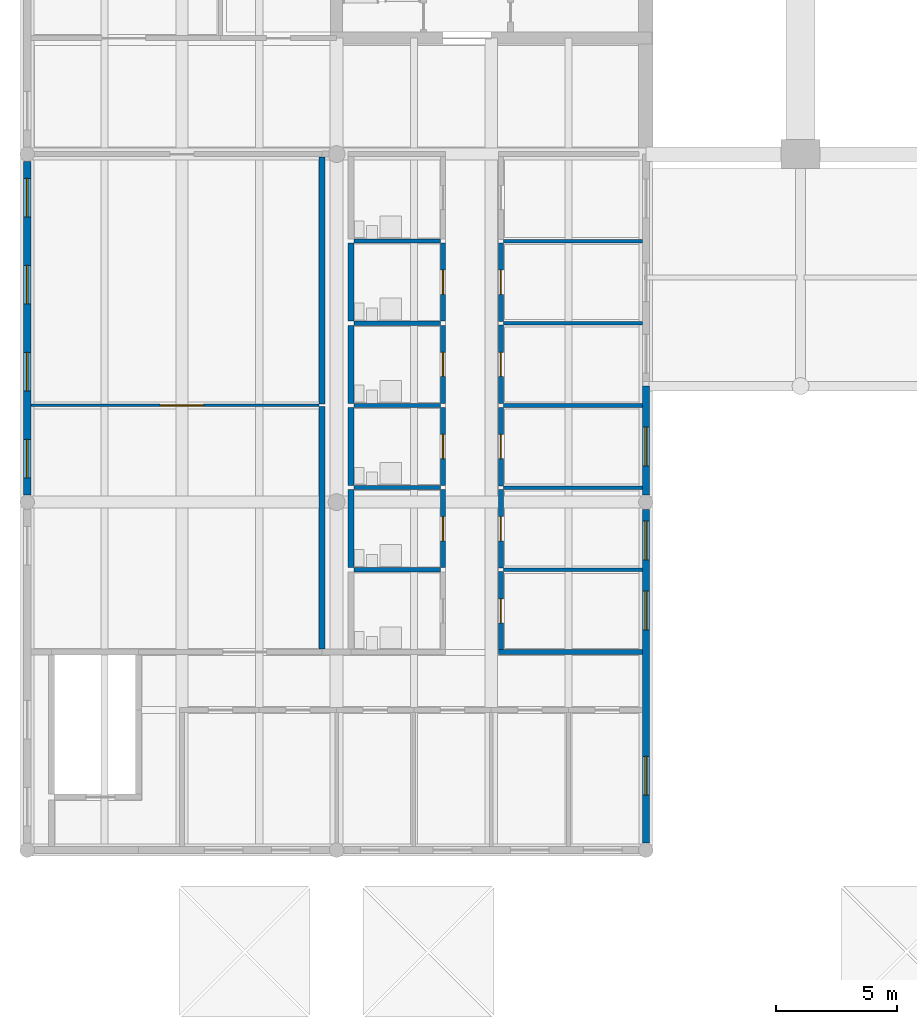
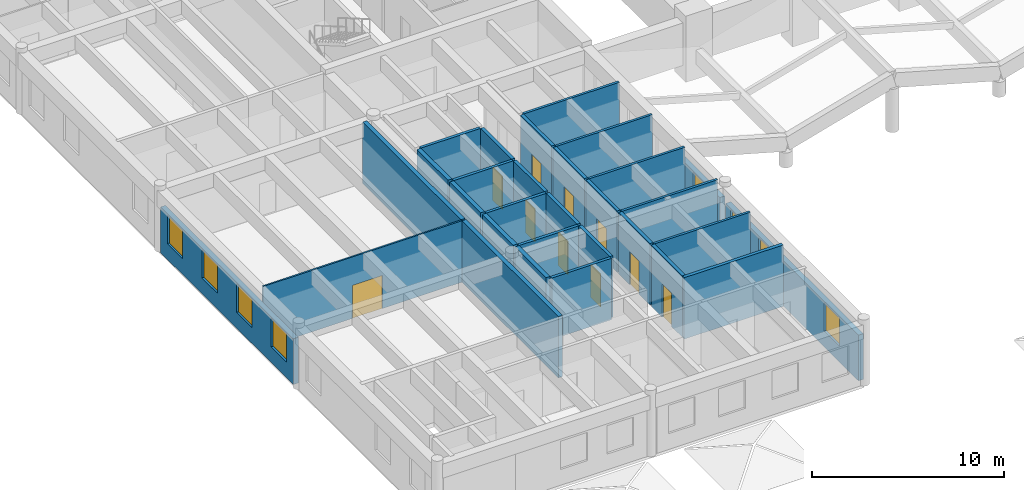
# One storey, part 6 of 19: 30 walls, 10 doors, 8 windows, 18 openings.
"""IFC4 building model written with IfcOpenShell, lengths in metres."""

import ifcopenshell
import ifcopenshell.guid

model = None  # the IFC model being written
_history = None  # IfcOwnerHistory: only IFC2X3 demands one
_inside = {}  # id of a spatial element -> (the spatial element, [elements in it])
_under = {}  # id of a project, library or spatial element -> (it, [spatial elements below it])
_declared = {}  # id of a project -> (the project, [libraries it declares])
_typed = {}  # id of a type object -> (the type object, [elements of that type])
_made_of = {}  # id of a material, layer set ... -> (it, [elements and type objects made of it])


def new_model(schema):
    """Start an empty IFC model of exactly this schema.

    Asked for "IFC4X3", IfcOpenShell would pick the latest addendum, in which some entities
    have other attributes; the version numbers below select the first issue.
    IFC2X3 requires an IfcOwnerHistory on every rooted entity: one is made here for all.
    """
    global model, _history
    if schema == "IFC4X3":
        model = ifcopenshell.file(schema_version=(4, 3, 0, 0))
    else:
        model = ifcopenshell.file(schema=schema)
    _inside.clear()
    _under.clear()
    _declared.clear()
    _typed.clear()
    _made_of.clear()
    _history = None
    if model.schema == "IFC2X3":
        org = make("IfcOrganization", Name="unknown")
        user = make(
            "IfcPersonAndOrganization",
            ThePerson=make("IfcPerson", FamilyName="unknown"),
            TheOrganization=org,
        )
        app = make(
            "IfcApplication",
            ApplicationDeveloper=org,
            Version="unknown",
            ApplicationFullName="unknown",
            ApplicationIdentifier="unknown",
        )
        _history = make(
            "IfcOwnerHistory",
            OwningUser=user,
            OwningApplication=app,
            ChangeAction="ADDED",
            CreationDate=0,
        )
    return model


def make(cls, **values):
    """One entity of the class cls with the attributes given. An attribute that is None is left unset."""
    return model.create_entity(
        cls, **{name: value for name, value in values.items() if value is not None}
    )


def rooted(cls, **values):
    """An entity with a GlobalId (a new one), such as an element, a storey or a relation."""
    return make(cls, GlobalId=ifcopenshell.guid.new(), OwnerHistory=_history, **values)


def si_unit(unit_type, name, prefix=None):
    """IfcSIUnit, for example si_unit("LENGTHUNIT", "METRE", prefix="MILLI")."""
    return make("IfcSIUnit", UnitType=unit_type, Prefix=prefix, Name=name)


def assignment(units):
    """IfcUnitAssignment: the units of a project."""
    return None if units is None else make("IfcUnitAssignment", Units=units)


def point(xyz):
    """IfcCartesianPoint."""
    return None if xyz is None else make("IfcCartesianPoint", Coordinates=xyz)


def direction(xyz):
    """IfcDirection."""
    return None if xyz is None else make("IfcDirection", DirectionRatios=xyz)


def frame(location, z_axis=None, x_axis=None):
    """IfcAxis2Placement3D, a coordinate frame: its origin and axes. An axis left out is left unset."""
    return make(
        "IfcAxis2Placement3D",
        Location=point(location),
        Axis=direction(z_axis),
        RefDirection=direction(x_axis),
    )


def frame_2d(location, x_axis=None):
    """IfcAxis2Placement2D, a coordinate frame in the plane: its origin and x axis."""
    return make(
        "IfcAxis2Placement2D", Location=point(location), RefDirection=direction(x_axis)
    )


def origin():
    """The frame at (0, 0, 0) with its axes left unset."""
    return frame((0.0, 0.0, 0.0))


def place(relative_to, where):
    """IfcLocalPlacement: puts the frame where relative to a parent placement (None: the world)."""
    return make(
        "IfcLocalPlacement", PlacementRelTo=relative_to, RelativePlacement=where
    )


def context(
    kind, dimensions, precision=None, world=None, true_north=None, identifier=None
):
    """IfcGeometricRepresentationContext, for example the 3D "Model" context."""
    return make(
        "IfcGeometricRepresentationContext",
        ContextIdentifier=identifier,
        ContextType=kind,
        CoordinateSpaceDimension=dimensions,
        Precision=precision,
        WorldCoordinateSystem=world,
        TrueNorth=true_north,
    )


def subcontext(parent, identifier, kind, view, scale=None):
    """IfcGeometricRepresentationSubContext, for example "Body" below "Model"."""
    return make(
        "IfcGeometricRepresentationSubContext",
        ContextIdentifier=identifier,
        ContextType=kind,
        ParentContext=parent,
        TargetScale=scale,
        TargetView=view,
    )


def project(units=None, contexts=None):
    """IfcProject with its units and contexts."""
    return rooted(
        "IfcProject",
        Name="project",
        RepresentationContexts=contexts,
        UnitsInContext=assignment(units),
    )


def spatial(cls, under=None, at=None, **own):
    """A site, building, storey or space (cls), placed at a placement, below another one or the project."""
    s = rooted(cls, ObjectPlacement=at, **own)
    if under is not None:
        _under.setdefault(under.id(), (under, []))[1].append(s)
    return s


def profile(cls, at=None, kind="AREA", **sizes):
    """A parametric profile (cls). Its sizes go by their IFC names, for example OverallWidth=200.0."""
    return make(cls, ProfileType=kind, Position=at, **sizes)


def rectangle(**sizes):
    """IfcRectangleProfileDef."""
    return profile("IfcRectangleProfileDef", **sizes)


def extrude(swept, where, along, depth):
    """IfcExtrudedAreaSolid: the profile swept, set in the frame where, extruded along a direction by depth."""
    return make(
        "IfcExtrudedAreaSolid",
        SweptArea=swept,
        Position=where,
        ExtrudedDirection=direction(along),
        Depth=depth,
    )


def shape(context_of_items, identifier, shape_type, items):
    """IfcShapeRepresentation: the items that make up one representation, for example the "Body"."""
    return make(
        "IfcShapeRepresentation",
        ContextOfItems=context_of_items,
        RepresentationIdentifier=identifier,
        RepresentationType=shape_type,
        Items=items,
    )


def material(Name=None, Category=None):
    """IfcMaterial."""
    return make("IfcMaterial", Name=Name, Category=Category)


def layer(
    of_material, thickness, ventilated=None, Name=None, Category=None, Priority=None
):
    """IfcMaterialLayer: one layer of a wall or slab, of a material (None: an air gap)."""
    return make(
        "IfcMaterialLayer",
        Material=of_material,
        LayerThickness=thickness,
        IsVentilated=ventilated,
        Name=Name,
        Category=Category,
        Priority=Priority,
    )


def layer_set(layers, Name=None):
    """IfcMaterialLayerSet."""
    return make("IfcMaterialLayerSet", MaterialLayers=layers, LayerSetName=Name)


def made_of(thing, what):
    """Note that an element or type object is made of a material, layer set ...; save() writes the relation."""
    if what is not None:
        _made_of.setdefault(what.id(), (what, []))[1].append(thing)
    return thing


def type_object(cls, material=None, **own):
    """A type object (cls), such as IfcWallType, which elements share."""
    return made_of(rooted(cls, **own), material)


def element(
    cls,
    number,
    at=None,
    inside=None,
    cuts=None,
    type_object=None,
    material=None,
    context=None,
    identifier="Body",
    shape_type=None,
    held_by="IfcProductDefinitionShape",
    body=None,
    shapes=None,
    **own,
):
    """One element of the class cls, such as IfcWall. Its Tag is "e" and its number.

    at: its placement. inside: the storey or other place that contains it. cuts: it is an
    opening in that element (IfcRelVoidsElement). A single representation is given by context,
    identifier, shape_type and body (its items); several are given by shapes. held_by: the class
    of the entity that holds the representations. save() writes the other relations.
    """
    e = rooted(cls, Tag="e%d" % number, ObjectPlacement=at, **own)
    if body is not None:
        shapes = [shape(context, identifier, shape_type, body)]
    if shapes is not None:
        e.Representation = make(held_by, Representations=shapes)
    if inside is not None:
        _inside.setdefault(inside.id(), (inside, []))[1].append(e)
    if cuts is not None:
        rooted(
            "IfcRelVoidsElement", RelatingBuildingElement=cuts, RelatedOpeningElement=e
        )
    if type_object is not None:
        _typed.setdefault(type_object.id(), (type_object, []))[1].append(e)
    return made_of(e, material)


def fill(opening, filler):
    """IfcRelFillsElement: the door or window that sits in an opening."""
    return rooted(
        "IfcRelFillsElement",
        RelatingOpeningElement=opening,
        RelatedBuildingElement=filler,
    )


def aggregate(whole, parts):
    """IfcRelAggregates: a whole, such as a stair, and the parts it consists of."""
    return rooted("IfcRelAggregates", RelatingObject=whole, RelatedObjects=parts)


def save(model, path):
    """Write the relations noted so far, then the file.

    IfcRelAggregates (storeys below a building ...), IfcRelContainedInSpatialStructure (elements
    in a storey), IfcRelDefinesByType, IfcRelAssociatesMaterial and IfcRelDeclares: one each for
    every whole, place, type object, material and project.
    """
    for whole, parts in _under.values():
        aggregate(whole, parts)
    for where, things in _inside.values():
        rooted(
            "IfcRelContainedInSpatialStructure",
            RelatedElements=things,
            RelatingStructure=where,
        )
    for kind, things in _typed.values():
        rooted("IfcRelDefinesByType", RelatedObjects=things, RelatingType=kind)
    for what, things in _made_of.values():
        rooted("IfcRelAssociatesMaterial", RelatedObjects=things, RelatingMaterial=what)
    for by, libraries in _declared.values():
        rooted("IfcRelDeclares", RelatingContext=by, RelatedDefinitions=libraries)
    model.write(path)


model = new_model("IFC4")

# Units and contexts
model_context = context("Model", 3, precision=1e-05, world=origin(), true_north=direction((0.0, 1.0)))
body_context = subcontext(model_context, "Body", "Model", "MODEL_VIEW")
ifc_project = project(units=[si_unit("LENGTHUNIT", "METRE"), si_unit("AREAUNIT", "SQUARE_METRE"), si_unit("VOLUMEUNIT", "CUBIC_METRE"), si_unit("PLANEANGLEUNIT", "RADIAN"), si_unit("MASSUNIT", "GRAM", prefix="KILO")], contexts=[model_context])

# Site, building, storey
site_placement = place(None, origin())
site = spatial("IfcSite", under=ifc_project, at=site_placement, CompositionType="ELEMENT")
building_placement = place(site_placement, origin())
building = spatial("IfcBuilding", under=site, at=building_placement, Name="Fogon Plaza Fire Station and Headquarters Tower", CompositionType="ELEMENT")
storey_placement = place(building_placement, frame((0.0, 0.0, 4.199951171875)))
storey = spatial("IfcBuildingStorey", under=building, at=storey_placement, Name="L01", CompositionType="ELEMENT", Elevation=4.199951171875)

# Walls
ifc_material_1 = material(Name="Acoustic Gypsum Partition")
ifc_layer_1 = layer(ifc_material_1, 0.14990234375)
ifc_layer_set_1 = layer_set([ifc_layer_1], Name="Acoustic Gypsum Partition")
wall_type_1 = type_object("IfcWallType", Name="Acoustic Partition 150", PredefinedType="PARTITIONING", material=ifc_layer_set_1)
for number, where, z_axis, x_axis, name in (
    (1, (19.699951171875, 11.60009765625, 0.0), (0.0, 0.0, 1.0), (1.0, 0.0, 0.0), "wall-L01-W-015"),
    (2, (19.699951171875, 15.0, 0.0), (0.0, 0.0, 1.0), (1.0, 0.0, 0.0), "wall-L01-W-017"),
    (3, (19.699951171875, 18.39990234375, 0.0), (0.0, 0.0, 1.0), (1.0, 0.0, 0.0), "wall-L01-W-020"),
    (4, (19.699951171875, 21.800048828125, 0.0), (0.0, 0.0, 1.0), (1.0, 0.0, 0.0), "wall-L01-W-022"),
    (5, (19.699951171875, 25.199951171875, 0.0), (0.0, 0.0, 1.0), (1.0, 0.0, 0.0), "wall-L01-W-024"),
):
    element("IfcWall", number, at=place(storey_placement, frame(where, z_axis=z_axis, x_axis=x_axis)), inside=storey, type_object=wall_type_1, Name=name, PredefinedType="PARTITIONING", context=body_context, shape_type="SweptSolid", body=[
        extrude(rectangle(XDim=5.75, YDim=0.14990234375, at=frame_2d((2.875, 0.0))), origin(), (0.0, 0.0, 1.0), 3.900146484375),
    ])

# Wall, openings, windows
ifc_material_2 = material(Name="Concrete C40", Category="concrete")
ifc_layer_2 = layer(ifc_material_2, 0.300048828125)
ifc_layer_set_2 = layer_set([ifc_layer_2], Name="Concrete C40")
wall_type_2 = type_object("IfcWallType", Name="Board-marked RC Infill Wall 300 Beam Head 100", PredefinedType="SOLIDWALL", material=ifc_layer_set_2)
wall_1_placement = place(storey_placement, frame((0.0, 14.699951171875, 0.0), z_axis=(0.0, 0.0, 1.0), x_axis=(0.0, 1.0, 0.0)))
wall_1 = element("IfcWall", 6, at=wall_1_placement, inside=storey, type_object=wall_type_2, Name="Exterior wall WW L01", PredefinedType="SOLIDWALL", context=body_context, shape_type="SweptSolid", body=[
    extrude(rectangle(XDim=13.800048828125, YDim=0.300048828125, at=frame_2d((6.89990234375, 0.0))), origin(), (0.0, 0.0, 1.0), 2.900146484375),
])
opening_1_placement = place(wall_1_placement, frame((0.699951171875, 0.0, 1.0)))
opening_1 = element("IfcOpeningElement", 7, at=opening_1_placement, cuts=wall_1, Name="Opening W1", PredefinedType="OPENING", context=body_context, shape_type="SweptSolid", body=[
    extrude(rectangle(XDim=1.60009765625, YDim=1.800048828125, at=frame_2d((0.800048828125, 0.89990234375))), frame((0.0, 0.159912109375, 0.0), z_axis=(0.0, -1.0, 0.0), x_axis=(1.0, 0.0, 0.0)), (0.0, 0.0, 1.0), 0.320068359375),
])
opening_2_placement = place(wall_1_placement, frame((4.300048828125, 0.0, 1.0)))
opening_2 = element("IfcOpeningElement", 8, at=opening_2_placement, cuts=wall_1, Name="Opening W1", PredefinedType="OPENING", context=body_context, shape_type="SweptSolid", body=[
    extrude(rectangle(XDim=1.60009765625, YDim=1.800048828125, at=frame_2d((0.800048828125, 0.89990234375))), frame((0.0, 0.159912109375, 0.0), z_axis=(0.0, -1.0, 0.0), x_axis=(1.0, 0.0, 0.0)), (0.0, 0.0, 1.0), 0.320068359375),
])
opening_3_placement = place(wall_1_placement, frame((7.89990234375, 0.0, 1.0)))
opening_3 = element("IfcOpeningElement", 9, at=opening_3_placement, cuts=wall_1, Name="Opening W1", PredefinedType="OPENING", context=body_context, shape_type="SweptSolid", body=[
    extrude(rectangle(XDim=1.60009765625, YDim=1.800048828125, at=frame_2d((0.800048828125, 0.89990234375))), frame((0.0, 0.159912109375, 0.0), z_axis=(0.0, -1.0, 0.0), x_axis=(1.0, 0.0, 0.0)), (0.0, 0.0, 1.0), 0.320068359375),
])
opening_4_placement = place(wall_1_placement, frame((11.5, 0.0, 1.0)))
opening_4 = element("IfcOpeningElement", 10, at=opening_4_placement, cuts=wall_1, Name="Opening W1", PredefinedType="OPENING", context=body_context, shape_type="SweptSolid", body=[
    extrude(rectangle(XDim=1.60009765625, YDim=1.800048828125, at=frame_2d((0.800048828125, 0.89990234375))), frame((0.0, 0.159912109375, 0.0), z_axis=(0.0, -1.0, 0.0), x_axis=(1.0, 0.0, 0.0)), (0.0, 0.0, 1.0), 0.320068359375),
])
ifc_material_3 = material(Name="Aluminium framed double glazing", Category="aluminium")
window_type = type_object("IfcWindowType", Name="Window W1 1600x1800", PartitioningType="SINGLE_PANEL", PredefinedType="WINDOW", material=ifc_material_3)
window_1_placement = place(opening_1_placement, origin())
window_1 = element("IfcWindow", 11, at=window_1_placement, inside=storey, type_object=window_type, Name="Window W1 W L01", OverallHeight=1.800048828125, OverallWidth=1.60009765625, PartitioningType="SINGLE_PANEL", PredefinedType="WINDOW", context=body_context, shape_type="SweptSolid", body=[
    extrude(rectangle(XDim=1.60009765625, YDim=1.800048828125, at=frame_2d((0.800048828125, 0.89990234375))), frame((0.0, 0.030029296875, 0.0), z_axis=(0.0, -1.0, 0.0), x_axis=(1.0, 0.0, 0.0)), (0.0, 0.0, 1.0), 0.06005859375),
])
fill(opening_1, window_1)
window_2_placement = place(opening_2_placement, origin())
window_2 = element("IfcWindow", 12, at=window_2_placement, inside=storey, type_object=window_type, Name="Window W1 W L01", OverallHeight=1.800048828125, OverallWidth=1.60009765625, PartitioningType="SINGLE_PANEL", PredefinedType="WINDOW", context=body_context, shape_type="SweptSolid", body=[
    extrude(rectangle(XDim=1.60009765625, YDim=1.800048828125, at=frame_2d((0.800048828125, 0.89990234375))), frame((0.0, 0.030029296875, 0.0), z_axis=(0.0, -1.0, 0.0), x_axis=(1.0, 0.0, 0.0)), (0.0, 0.0, 1.0), 0.06005859375),
])
fill(opening_2, window_2)
window_3_placement = place(opening_3_placement, origin())
window_3 = element("IfcWindow", 13, at=window_3_placement, inside=storey, type_object=window_type, Name="Window W1 W L01", OverallHeight=1.800048828125, OverallWidth=1.60009765625, PartitioningType="SINGLE_PANEL", PredefinedType="WINDOW", context=body_context, shape_type="SweptSolid", body=[
    extrude(rectangle(XDim=1.60009765625, YDim=1.800048828125, at=frame_2d((0.800048828125, 0.89990234375))), frame((0.0, 0.030029296875, 0.0), z_axis=(0.0, -1.0, 0.0), x_axis=(1.0, 0.0, 0.0)), (0.0, 0.0, 1.0), 0.06005859375),
])
fill(opening_3, window_3)
window_4_placement = place(opening_4_placement, origin())
window_4 = element("IfcWindow", 14, at=window_4_placement, inside=storey, type_object=window_type, Name="Window W1 W L01", OverallHeight=1.800048828125, OverallWidth=1.60009765625, PartitioningType="SINGLE_PANEL", PredefinedType="WINDOW", context=body_context, shape_type="SweptSolid", body=[
    extrude(rectangle(XDim=1.60009765625, YDim=1.800048828125, at=frame_2d((0.800048828125, 0.89990234375))), frame((0.0, 0.030029296875, 0.0), z_axis=(0.0, -1.0, 0.0), x_axis=(1.0, 0.0, 0.0)), (0.0, 0.0, 1.0), 0.06005859375),
])
fill(opening_4, window_4)

wall_2_placement = place(storey_placement, frame((25.60009765625, 0.300048828125, 0.0), z_axis=(0.0, 0.0, 1.0), x_axis=(0.0, 1.0, 0.0)))
wall_2 = element("IfcWall", 15, at=wall_2_placement, inside=storey, type_object=wall_type_2, Name="Exterior wall WE L01", PredefinedType="SOLIDWALL", context=body_context, shape_type="SweptSolid", body=[
    extrude(rectangle(XDim=13.800048828125, YDim=0.300048828125, at=frame_2d((6.89990234375, 0.0))), origin(), (0.0, 0.0, 1.0), 2.900146484375),
])
opening_5_placement = place(wall_2_placement, frame((1.97509765625, 0.0, 1.0)))
opening_5 = element("IfcOpeningElement", 16, at=opening_5_placement, cuts=wall_2, Name="Opening W1", PredefinedType="OPENING", context=body_context, shape_type="SweptSolid", body=[
    extrude(rectangle(XDim=1.60009765625, YDim=1.800048828125, at=frame_2d((0.800048828125, 0.89990234375))), frame((0.0, 0.159912109375, 0.0), z_axis=(0.0, -1.0, 0.0), x_axis=(1.0, 0.0, 0.0)), (0.0, 0.0, 1.0), 0.320068359375),
])
opening_6_placement = place(wall_2_placement, frame((8.8125, 0.0, 1.0)))
opening_6 = element("IfcOpeningElement", 17, at=opening_6_placement, cuts=wall_2, Name="Opening W1", PredefinedType="OPENING", context=body_context, shape_type="SweptSolid", body=[
    extrude(rectangle(XDim=1.60009765625, YDim=1.800048828125, at=frame_2d((0.800048828125, 0.89990234375))), frame((0.0, 0.159912109375, 0.0), z_axis=(0.0, -1.0, 0.0), x_axis=(1.0, 0.0, 0.0)), (0.0, 0.0, 1.0), 0.320068359375),
])
opening_7_placement = place(wall_2_placement, frame((11.71240234375, 0.0, 1.0)))
opening_7 = element("IfcOpeningElement", 18, at=opening_7_placement, cuts=wall_2, Name="Opening W1", PredefinedType="OPENING", context=body_context, shape_type="SweptSolid", body=[
    extrude(rectangle(XDim=1.60009765625, YDim=1.800048828125, at=frame_2d((0.800048828125, 0.89990234375))), frame((0.0, 0.159912109375, 0.0), z_axis=(0.0, -1.0, 0.0), x_axis=(1.0, 0.0, 0.0)), (0.0, 0.0, 1.0), 0.320068359375),
])
window_5_placement = place(opening_5_placement, origin())
window_5 = element("IfcWindow", 19, at=window_5_placement, inside=storey, type_object=window_type, Name="Window W1 E L01", OverallHeight=1.800048828125, OverallWidth=1.60009765625, PartitioningType="SINGLE_PANEL", PredefinedType="WINDOW", context=body_context, shape_type="SweptSolid", body=[
    extrude(rectangle(XDim=1.60009765625, YDim=1.800048828125, at=frame_2d((0.800048828125, 0.89990234375))), frame((0.0, 0.030029296875, 0.0), z_axis=(0.0, -1.0, 0.0), x_axis=(1.0, 0.0, 0.0)), (0.0, 0.0, 1.0), 0.06005859375),
])
fill(opening_5, window_5)
window_6_placement = place(opening_6_placement, origin())
window_6 = element("IfcWindow", 20, at=window_6_placement, inside=storey, type_object=window_type, Name="Window W1 E L01", OverallHeight=1.800048828125, OverallWidth=1.60009765625, PartitioningType="SINGLE_PANEL", PredefinedType="WINDOW", context=body_context, shape_type="SweptSolid", body=[
    extrude(rectangle(XDim=1.60009765625, YDim=1.800048828125, at=frame_2d((0.800048828125, 0.89990234375))), frame((0.0, 0.030029296875, 0.0), z_axis=(0.0, -1.0, 0.0), x_axis=(1.0, 0.0, 0.0)), (0.0, 0.0, 1.0), 0.06005859375),
])
fill(opening_6, window_6)
window_7_placement = place(opening_7_placement, origin())
window_7 = element("IfcWindow", 21, at=window_7_placement, inside=storey, type_object=window_type, Name="Window W1 E L01", OverallHeight=1.800048828125, OverallWidth=1.60009765625, PartitioningType="SINGLE_PANEL", PredefinedType="WINDOW", context=body_context, shape_type="SweptSolid", body=[
    extrude(rectangle(XDim=1.60009765625, YDim=1.800048828125, at=frame_2d((0.800048828125, 0.89990234375))), frame((0.0, 0.030029296875, 0.0), z_axis=(0.0, -1.0, 0.0), x_axis=(1.0, 0.0, 0.0)), (0.0, 0.0, 1.0), 0.06005859375),
])
fill(opening_7, window_7)

# Wall, opening, window
wall_3_placement = place(storey_placement, frame((25.60009765625, 14.699951171875, 0.0), z_axis=(0.0, 0.0, 1.0), x_axis=(0.0, 1.0, 0.0)))
wall_3 = element("IfcWall", 22, at=wall_3_placement, inside=storey, type_object=wall_type_2, Name="Exterior wall WE L01", PredefinedType="SOLIDWALL", context=body_context, shape_type="SweptSolid", body=[
    extrude(rectangle(XDim=4.5, YDim=0.300048828125, at=frame_2d((2.25, 0.0))), origin(), (0.0, 0.0, 1.0), 2.900146484375),
])
opening_8_placement = place(wall_3_placement, frame((1.199951171875, 0.0, 1.0)))
opening_8 = element("IfcOpeningElement", 23, at=opening_8_placement, cuts=wall_3, Name="Opening W1", PredefinedType="OPENING", context=body_context, shape_type="SweptSolid", body=[
    extrude(rectangle(XDim=1.60009765625, YDim=1.800048828125, at=frame_2d((0.800048828125, 0.89990234375))), frame((0.0, 0.159912109375, 0.0), z_axis=(0.0, -1.0, 0.0), x_axis=(1.0, 0.0, 0.0)), (0.0, 0.0, 1.0), 0.320068359375),
])
window_8_placement = place(opening_8_placement, origin())
window_8 = element("IfcWindow", 24, at=window_8_placement, inside=storey, type_object=window_type, Name="Window W1 E L01", OverallHeight=1.800048828125, OverallWidth=1.60009765625, PartitioningType="SINGLE_PANEL", PredefinedType="WINDOW", context=body_context, shape_type="SweptSolid", body=[
    extrude(rectangle(XDim=1.60009765625, YDim=1.800048828125, at=frame_2d((0.800048828125, 0.89990234375))), frame((0.0, 0.030029296875, 0.0), z_axis=(0.0, -1.0, 0.0), x_axis=(1.0, 0.0, 0.0)), (0.0, 0.0, 1.0), 0.06005859375),
])
fill(opening_8, window_8)

# Wall
ifc_material_4 = material(Name="Gypsum Board Fire Partition")
ifc_layer_3 = layer(ifc_material_4, 0.199951171875)
ifc_layer_set_3 = layer_set([ifc_layer_3], Name="Gypsum Board Fire Partition")
wall_type_3 = type_object("IfcWallType", Name="Corridor Wall EI 60", PredefinedType="PARTITIONING", material=ifc_layer_set_3)
wall_4_placement = place(storey_placement, frame((19.5, 8.199951171875, 0.0), z_axis=(0.0, 0.0, 1.0), x_axis=(1.0, 0.0, 0.0)))
element("IfcWall", 25, at=wall_4_placement, inside=storey, type_object=wall_type_3, Name="wall-L01-W-013", PredefinedType="PARTITIONING", context=body_context, shape_type="SweptSolid", body=[
    extrude(rectangle(XDim=5.949951171875, YDim=0.199951171875, at=frame_2d((2.97509765625, 0.0))), origin(), (0.0, 0.0, 1.0), 3.900146484375),
])

# Wall, opening, door
wall_5_placement = place(storey_placement, frame((17.199951171875, 11.6875, 0.0), z_axis=(0.0, 0.0, 1.0), x_axis=(0.0, 1.0, 0.0)))
wall_5 = element("IfcWall", 26, at=wall_5_placement, inside=storey, type_object=wall_type_3, Name="wall-L01-W-060", PredefinedType="PARTITIONING", context=body_context, shape_type="SweptSolid", body=[
    extrude(rectangle(XDim=3.22509765625, YDim=0.199951171875, at=frame_2d((1.612548828125, 0.0))), origin(), (0.0, 0.0, 1.0), 3.900146484375),
])
opening_9_placement = place(wall_5_placement, frame((1.112548828125, 0.0, 0.0)))
opening_9 = element("IfcOpeningElement", 27, at=opening_9_placement, cuts=wall_5, Name="Opening L01-D40", PredefinedType="OPENING", context=body_context, shape_type="SweptSolid", body=[
    extrude(rectangle(XDim=1.0, YDim=2.10009765625, at=frame_2d((0.5, 1.050048828125))), frame((0.0, 0.10986328125, 0.0), z_axis=(0.0, -1.0, 0.0), x_axis=(1.0, 0.0, 0.0)), (0.0, 0.0, 1.0), 0.219970703125),
])
ifc_material_5 = material(Name="Steel Fire Door Leaf", Category="steel")
door_type_1 = type_object("IfcDoorType", Name="Corridor Door EI 20 1000x2100", OperationType="SINGLE_SWING_LEFT", PredefinedType="DOOR", material=ifc_material_5)
door_1_placement = place(opening_9_placement, origin())
door_1 = element("IfcDoor", 28, at=door_1_placement, inside=storey, type_object=door_type_1, Name="door-L01-W-10", OperationType="SINGLE_SWING_LEFT", OverallHeight=2.10009765625, OverallWidth=1.0, PredefinedType="DOOR", context=body_context, shape_type="SweptSolid", body=[
    extrude(rectangle(XDim=1.0, YDim=2.10009765625, at=frame_2d((0.5, 1.050048828125))), frame((0.0, 0.02490234375, 0.0), z_axis=(0.0, -1.0, 0.0), x_axis=(1.0, 0.0, 0.0)), (0.0, 0.0, 1.0), 0.050048828125),
])
fill(opening_9, door_1)

wall_6_placement = place(storey_placement, frame((17.199951171875, 15.08740234375, 0.0), z_axis=(0.0, 0.0, 1.0), x_axis=(0.0, 1.0, 0.0)))
wall_6 = element("IfcWall", 29, at=wall_6_placement, inside=storey, type_object=wall_type_3, Name="wall-L01-W-061", PredefinedType="PARTITIONING", context=body_context, shape_type="SweptSolid", body=[
    extrude(rectangle(XDim=3.22509765625, YDim=0.199951171875, at=frame_2d((1.612548828125, 0.0))), origin(), (0.0, 0.0, 1.0), 3.900146484375),
])
opening_10_placement = place(wall_6_placement, frame((1.112548828125, 0.0, 0.0)))
opening_10 = element("IfcOpeningElement", 30, at=opening_10_placement, cuts=wall_6, Name="Opening L01-D41", PredefinedType="OPENING", context=body_context, shape_type="SweptSolid", body=[
    extrude(rectangle(XDim=1.0, YDim=2.10009765625, at=frame_2d((0.5, 1.050048828125))), frame((0.0, 0.10986328125, 0.0), z_axis=(0.0, -1.0, 0.0), x_axis=(1.0, 0.0, 0.0)), (0.0, 0.0, 1.0), 0.219970703125),
])
door_2_placement = place(opening_10_placement, origin())
door_2 = element("IfcDoor", 31, at=door_2_placement, inside=storey, type_object=door_type_1, Name="door-L01-W-11", OperationType="SINGLE_SWING_RIGHT", OverallHeight=2.10009765625, OverallWidth=1.0, PredefinedType="DOOR", context=body_context, shape_type="SweptSolid", body=[
    extrude(rectangle(XDim=1.0, YDim=2.10009765625, at=frame_2d((0.5, 1.050048828125))), frame((0.0, 0.02490234375, 0.0), z_axis=(0.0, -1.0, 0.0), x_axis=(1.0, 0.0, 0.0)), (0.0, 0.0, 1.0), 0.050048828125),
])
fill(opening_10, door_2)

wall_7_placement = place(storey_placement, frame((17.199951171875, 18.487548828125, 0.0), z_axis=(0.0, 0.0, 1.0), x_axis=(0.0, 1.0, 0.0)))
wall_7 = element("IfcWall", 32, at=wall_7_placement, inside=storey, type_object=wall_type_3, Name="wall-L01-W-062", PredefinedType="PARTITIONING", context=body_context, shape_type="SweptSolid", body=[
    extrude(rectangle(XDim=3.224853515625, YDim=0.199951171875, at=frame_2d((1.6123046875, 0.0))), origin(), (0.0, 0.0, 1.0), 3.900146484375),
])
opening_11_placement = place(wall_7_placement, frame((1.112548828125, 0.0, 0.0)))
opening_11 = element("IfcOpeningElement", 33, at=opening_11_placement, cuts=wall_7, Name="Opening L01-D42", PredefinedType="OPENING", context=body_context, shape_type="SweptSolid", body=[
    extrude(rectangle(XDim=1.0, YDim=2.10009765625, at=frame_2d((0.5, 1.050048828125))), frame((0.0, 0.10986328125, 0.0), z_axis=(0.0, -1.0, 0.0), x_axis=(1.0, 0.0, 0.0)), (0.0, 0.0, 1.0), 0.219970703125),
])
door_3_placement = place(opening_11_placement, origin())
door_3 = element("IfcDoor", 34, at=door_3_placement, inside=storey, type_object=door_type_1, Name="door-L01-W-12", OperationType="SINGLE_SWING_LEFT", OverallHeight=2.10009765625, OverallWidth=1.0, PredefinedType="DOOR", context=body_context, shape_type="SweptSolid", body=[
    extrude(rectangle(XDim=1.0, YDim=2.10009765625, at=frame_2d((0.5, 1.050048828125))), frame((0.0, 0.02490234375, 0.0), z_axis=(0.0, -1.0, 0.0), x_axis=(1.0, 0.0, 0.0)), (0.0, 0.0, 1.0), 0.050048828125),
])
fill(opening_11, door_3)

wall_8_placement = place(storey_placement, frame((17.199951171875, 21.887451171875, 0.0), z_axis=(0.0, 0.0, 1.0), x_axis=(0.0, 1.0, 0.0)))
wall_8 = element("IfcWall", 35, at=wall_8_placement, inside=storey, type_object=wall_type_3, Name="wall-L01-W-063", PredefinedType="PARTITIONING", context=body_context, shape_type="SweptSolid", body=[
    extrude(rectangle(XDim=3.22509765625, YDim=0.199951171875, at=frame_2d((1.612548828125, 0.0))), origin(), (0.0, 0.0, 1.0), 3.900146484375),
])
opening_12_placement = place(wall_8_placement, frame((1.112548828125, 0.0, 0.0)))
opening_12 = element("IfcOpeningElement", 36, at=opening_12_placement, cuts=wall_8, Name="Opening L01-D43", PredefinedType="OPENING", context=body_context, shape_type="SweptSolid", body=[
    extrude(rectangle(XDim=1.0, YDim=2.10009765625, at=frame_2d((0.5, 1.050048828125))), frame((0.0, 0.10986328125, 0.0), z_axis=(0.0, -1.0, 0.0), x_axis=(1.0, 0.0, 0.0)), (0.0, 0.0, 1.0), 0.219970703125),
])
door_4_placement = place(opening_12_placement, origin())
door_4 = element("IfcDoor", 37, at=door_4_placement, inside=storey, type_object=door_type_1, Name="door-L01-W-13", OperationType="SINGLE_SWING_RIGHT", OverallHeight=2.10009765625, OverallWidth=1.0, PredefinedType="DOOR", context=body_context, shape_type="SweptSolid", body=[
    extrude(rectangle(XDim=1.0, YDim=2.10009765625, at=frame_2d((0.5, 1.050048828125))), frame((0.0, 0.02490234375, 0.0), z_axis=(0.0, -1.0, 0.0), x_axis=(1.0, 0.0, 0.0)), (0.0, 0.0, 1.0), 0.050048828125),
])
fill(opening_12, door_4)

wall_9_placement = place(storey_placement, frame((19.60009765625, 8.300048828125, 0.0), z_axis=(0.0, 0.0, 1.0), x_axis=(0.0, 1.0, 0.0)))
wall_9 = element("IfcWall", 38, at=wall_9_placement, inside=storey, type_object=wall_type_3, Name="wall-L01-W-066", PredefinedType="PARTITIONING", context=body_context, shape_type="SweptSolid", body=[
    extrude(rectangle(XDim=3.224853515625, YDim=0.199951171875, at=frame_2d((1.6123046875, 0.0))), origin(), (0.0, 0.0, 1.0), 3.900146484375),
])
opening_13_placement = place(wall_9_placement, frame((1.10009765625, 0.0, 0.0)))
opening_13 = element("IfcOpeningElement", 39, at=opening_13_placement, cuts=wall_9, Name="Opening L01-D45", PredefinedType="OPENING", context=body_context, shape_type="SweptSolid", body=[
    extrude(rectangle(XDim=1.0, YDim=2.10009765625, at=frame_2d((0.5, 1.050048828125))), frame((0.0, 0.10986328125, 0.0), z_axis=(0.0, -1.0, 0.0), x_axis=(1.0, 0.0, 0.0)), (0.0, 0.0, 1.0), 0.219970703125),
])
door_5_placement = place(opening_13_placement, frame((1.0, 0.0, 0.0), z_axis=(0.0, 0.0, 1.0), x_axis=(-1.0, 0.0, 0.0)))
door_5 = element("IfcDoor", 40, at=door_5_placement, inside=storey, type_object=door_type_1, Name="door-L01-W-15", OperationType="SINGLE_SWING_LEFT", OverallHeight=2.10009765625, OverallWidth=1.0, PredefinedType="DOOR", context=body_context, shape_type="SweptSolid", body=[
    extrude(rectangle(XDim=1.0, YDim=2.10009765625, at=frame_2d((0.5, 1.050048828125))), frame((0.0, 0.02490234375, 0.0), z_axis=(0.0, -1.0, 0.0), x_axis=(1.0, 0.0, 0.0)), (0.0, 0.0, 1.0), 0.050048828125),
])
fill(opening_13, door_5)

wall_10_placement = place(storey_placement, frame((19.60009765625, 11.675048828125, 0.0), z_axis=(0.0, 0.0, 1.0), x_axis=(0.0, 1.0, 0.0)))
wall_10 = element("IfcWall", 41, at=wall_10_placement, inside=storey, type_object=wall_type_3, Name="wall-L01-W-067", PredefinedType="PARTITIONING", context=body_context, shape_type="SweptSolid", body=[
    extrude(rectangle(XDim=3.25, YDim=0.199951171875, at=frame_2d((1.625, 0.0))), origin(), (0.0, 0.0, 1.0), 3.900146484375),
])
opening_14_placement = place(wall_10_placement, frame((1.125, 0.0, 0.0)))
opening_14 = element("IfcOpeningElement", 42, at=opening_14_placement, cuts=wall_10, Name="Opening L01-D46", PredefinedType="OPENING", context=body_context, shape_type="SweptSolid", body=[
    extrude(rectangle(XDim=1.0, YDim=2.10009765625, at=frame_2d((0.5, 1.050048828125))), frame((0.0, 0.10986328125, 0.0), z_axis=(0.0, -1.0, 0.0), x_axis=(1.0, 0.0, 0.0)), (0.0, 0.0, 1.0), 0.219970703125),
])
door_6_placement = place(opening_14_placement, frame((1.0, 0.0, 0.0), z_axis=(0.0, 0.0, 1.0), x_axis=(-1.0, 0.0, 0.0)))
door_6 = element("IfcDoor", 43, at=door_6_placement, inside=storey, type_object=door_type_1, Name="door-L01-W-16", OperationType="SINGLE_SWING_RIGHT", OverallHeight=2.10009765625, OverallWidth=1.0, PredefinedType="DOOR", context=body_context, shape_type="SweptSolid", body=[
    extrude(rectangle(XDim=1.0, YDim=2.10009765625, at=frame_2d((0.5, 1.050048828125))), frame((0.0, 0.02490234375, 0.0), z_axis=(0.0, -1.0, 0.0), x_axis=(1.0, 0.0, 0.0)), (0.0, 0.0, 1.0), 0.050048828125),
])
fill(opening_14, door_6)

wall_11_placement = place(storey_placement, frame((19.60009765625, 15.074951171875, 0.0), z_axis=(0.0, 0.0, 1.0), x_axis=(0.0, 1.0, 0.0)))
wall_11 = element("IfcWall", 44, at=wall_11_placement, inside=storey, type_object=wall_type_3, Name="wall-L01-W-068", PredefinedType="PARTITIONING", context=body_context, shape_type="SweptSolid", body=[
    extrude(rectangle(XDim=3.25, YDim=0.199951171875, at=frame_2d((1.625, 0.0))), origin(), (0.0, 0.0, 1.0), 3.900146484375),
])
opening_15_placement = place(wall_11_placement, frame((1.125, 0.0, 0.0)))
opening_15 = element("IfcOpeningElement", 45, at=opening_15_placement, cuts=wall_11, Name="Opening L01-D47", PredefinedType="OPENING", context=body_context, shape_type="SweptSolid", body=[
    extrude(rectangle(XDim=1.0, YDim=2.10009765625, at=frame_2d((0.5, 1.050048828125))), frame((0.0, 0.10986328125, 0.0), z_axis=(0.0, -1.0, 0.0), x_axis=(1.0, 0.0, 0.0)), (0.0, 0.0, 1.0), 0.219970703125),
])
door_7_placement = place(opening_15_placement, frame((1.0, 0.0, 0.0), z_axis=(0.0, 0.0, 1.0), x_axis=(-1.0, 0.0, 0.0)))
door_7 = element("IfcDoor", 46, at=door_7_placement, inside=storey, type_object=door_type_1, Name="door-L01-W-17", OperationType="SINGLE_SWING_LEFT", OverallHeight=2.10009765625, OverallWidth=1.0, PredefinedType="DOOR", context=body_context, shape_type="SweptSolid", body=[
    extrude(rectangle(XDim=1.0, YDim=2.10009765625, at=frame_2d((0.5, 1.050048828125))), frame((0.0, 0.02490234375, 0.0), z_axis=(0.0, -1.0, 0.0), x_axis=(1.0, 0.0, 0.0)), (0.0, 0.0, 1.0), 0.050048828125),
])
fill(opening_15, door_7)

wall_12_placement = place(storey_placement, frame((19.60009765625, 18.47509765625, 0.0), z_axis=(0.0, 0.0, 1.0), x_axis=(0.0, 1.0, 0.0)))
wall_12 = element("IfcWall", 47, at=wall_12_placement, inside=storey, type_object=wall_type_3, Name="wall-L01-W-069", PredefinedType="PARTITIONING", context=body_context, shape_type="SweptSolid", body=[
    extrude(rectangle(XDim=3.25, YDim=0.199951171875, at=frame_2d((1.625, 0.0))), origin(), (0.0, 0.0, 1.0), 3.900146484375),
])
opening_16_placement = place(wall_12_placement, frame((1.125, 0.0, 0.0)))
opening_16 = element("IfcOpeningElement", 48, at=opening_16_placement, cuts=wall_12, Name="Opening L01-D48", PredefinedType="OPENING", context=body_context, shape_type="SweptSolid", body=[
    extrude(rectangle(XDim=1.0, YDim=2.10009765625, at=frame_2d((0.5, 1.050048828125))), frame((0.0, 0.10986328125, 0.0), z_axis=(0.0, -1.0, 0.0), x_axis=(1.0, 0.0, 0.0)), (0.0, 0.0, 1.0), 0.219970703125),
])
door_8_placement = place(opening_16_placement, frame((1.0, 0.0, 0.0), z_axis=(0.0, 0.0, 1.0), x_axis=(-1.0, 0.0, 0.0)))
door_8 = element("IfcDoor", 49, at=door_8_placement, inside=storey, type_object=door_type_1, Name="door-L01-W-18", OperationType="SINGLE_SWING_RIGHT", OverallHeight=2.10009765625, OverallWidth=1.0, PredefinedType="DOOR", context=body_context, shape_type="SweptSolid", body=[
    extrude(rectangle(XDim=1.0, YDim=2.10009765625, at=frame_2d((0.5, 1.050048828125))), frame((0.0, 0.02490234375, 0.0), z_axis=(0.0, -1.0, 0.0), x_axis=(1.0, 0.0, 0.0)), (0.0, 0.0, 1.0), 0.050048828125),
])
fill(opening_16, door_8)

wall_13_placement = place(storey_placement, frame((19.60009765625, 21.875, 0.0), z_axis=(0.0, 0.0, 1.0), x_axis=(0.0, 1.0, 0.0)))
wall_13 = element("IfcWall", 50, at=wall_13_placement, inside=storey, type_object=wall_type_3, Name="wall-L01-W-070", PredefinedType="PARTITIONING", context=body_context, shape_type="SweptSolid", body=[
    extrude(rectangle(XDim=3.25, YDim=0.199951171875, at=frame_2d((1.625, 0.0))), origin(), (0.0, 0.0, 1.0), 3.900146484375),
])
opening_17_placement = place(wall_13_placement, frame((1.125, 0.0, 0.0)))
opening_17 = element("IfcOpeningElement", 51, at=opening_17_placement, cuts=wall_13, Name="Opening L01-D49", PredefinedType="OPENING", context=body_context, shape_type="SweptSolid", body=[
    extrude(rectangle(XDim=1.0, YDim=2.10009765625, at=frame_2d((0.5, 1.050048828125))), frame((0.0, 0.10986328125, 0.0), z_axis=(0.0, -1.0, 0.0), x_axis=(1.0, 0.0, 0.0)), (0.0, 0.0, 1.0), 0.219970703125),
])
door_9_placement = place(opening_17_placement, frame((1.0, 0.0, 0.0), z_axis=(0.0, 0.0, 1.0), x_axis=(-1.0, 0.0, 0.0)))
door_9 = element("IfcDoor", 52, at=door_9_placement, inside=storey, type_object=door_type_1, Name="door-L01-W-19", OperationType="SINGLE_SWING_LEFT", OverallHeight=2.10009765625, OverallWidth=1.0, PredefinedType="DOOR", context=body_context, shape_type="SweptSolid", body=[
    extrude(rectangle(XDim=1.0, YDim=2.10009765625, at=frame_2d((0.5, 1.050048828125))), frame((0.0, 0.02490234375, 0.0), z_axis=(0.0, -1.0, 0.0), x_axis=(1.0, 0.0, 0.0)), (0.0, 0.0, 1.0), 0.050048828125),
])
fill(opening_17, door_9)

ifc_material_6 = material(Name="Gypsum Board Partition")
ifc_layer_4 = layer(ifc_material_6, 0.10009765625)
ifc_layer_set_4 = layer_set([ifc_layer_4], Name="Gypsum Board Partition")
wall_type_4 = type_object("IfcWallType", Name="Partition Gypsum 100", PredefinedType="PARTITIONING", material=ifc_layer_set_4)
wall_14_placement = place(storey_placement, frame((0.14990234375, 18.39990234375, 0.0), z_axis=(0.0, 0.0, 1.0), x_axis=(1.0, 0.0, 0.0)))
wall_14 = element("IfcWall", 53, at=wall_14_placement, inside=storey, type_object=wall_type_4, Name="wall-L01-W-018", PredefinedType="PARTITIONING", context=body_context, shape_type="SweptSolid", body=[
    extrude(rectangle(XDim=11.925048828125, YDim=0.10009765625, at=frame_2d((5.96240234375, 0.0))), origin(), (0.0, 0.0, 1.0), 3.900146484375),
])
opening_18_placement = place(wall_14_placement, frame((5.35009765625, 0.0, 0.0)))
opening_18 = element("IfcOpeningElement", 54, at=opening_18_placement, cuts=wall_14, Name="Opening L01-D52", PredefinedType="OPENING", context=body_context, shape_type="SweptSolid", body=[
    extrude(rectangle(XDim=1.800048828125, YDim=2.10009765625, at=frame_2d((0.89990234375, 1.050048828125))), frame((0.0, 0.06005859375, 0.0), z_axis=(0.0, -1.0, 0.0), x_axis=(1.0, 0.0, 0.0)), (0.0, 0.0, 1.0), 0.1201171875),
])
ifc_material_7 = material(Name="Timber Door Leaf", Category="wood")
door_type_2 = type_object("IfcDoorType", Name="Door Double 1800x2100", OperationType="SINGLE_SWING_LEFT", PredefinedType="DOOR", material=ifc_material_7)
door_10_placement = place(opening_18_placement, frame((1.800048828125, 0.0, 0.0), z_axis=(0.0, 0.0, 1.0), x_axis=(-1.0, 0.0, 0.0)))
door_10 = element("IfcDoor", 55, at=door_10_placement, inside=storey, type_object=door_type_2, Name="door-L01-W-22", OperationType="DOUBLE_DOOR_SINGLE_SWING", OverallHeight=2.10009765625, OverallWidth=1.800048828125, PredefinedType="DOOR", context=body_context, shape_type="SweptSolid", body=[
    extrude(rectangle(XDim=1.800048828125, YDim=2.10009765625, at=frame_2d((0.89990234375, 1.050048828125))), frame((0.0, 0.02490234375, 0.0), z_axis=(0.0, -1.0, 0.0), x_axis=(1.0, 0.0, 0.0)), (0.0, 0.0, 1.0), 0.050048828125),
])
fill(opening_18, door_10)

# Walls
ifc_material_8 = material(Name="Concrete Block Fire Wall", Category="concrete")
ifc_layer_5 = layer(ifc_material_8, 0.25)
ifc_layer_set_5 = layer_set([ifc_layer_5], Name="Concrete Block Fire Wall")
wall_type_5 = type_object("IfcWallType", Name="Stair and Shaft Wall EI 120", PredefinedType="PARTITIONING", material=ifc_layer_set_5)
wall_15_placement = place(storey_placement, frame((12.199951171875, 8.324951171875, 0.0), z_axis=(0.0, 0.0, 1.0), x_axis=(0.0, 1.0, 0.0)))
element("IfcWall", 56, at=wall_15_placement, inside=storey, type_object=wall_type_5, Name="wall-L01-W-049", PredefinedType="PARTITIONING", context=body_context, shape_type="SweptSolid", body=[
    extrude(rectangle(XDim=10.025146484375, YDim=0.25, at=frame_2d((5.0126953125, 0.0))), origin(), (0.0, 0.0, 1.0), 3.900146484375),
])
wall_16_placement = place(storey_placement, frame((12.199951171875, 18.449951171875, 0.0), z_axis=(0.0, 0.0, 1.0), x_axis=(0.0, 1.0, 0.0)))
element("IfcWall", 57, at=wall_16_placement, inside=storey, type_object=wall_type_5, Name="wall-L01-W-050", PredefinedType="PARTITIONING", context=body_context, shape_type="SweptSolid", body=[
    extrude(rectangle(XDim=10.22509765625, YDim=0.25, at=frame_2d((5.112548828125, 0.0))), origin(), (0.0, 0.0, 1.0), 3.900146484375),
])
for number, where, z_axis, x_axis, name in (
    (58, (13.39990234375, 11.6875, 0.0), (0.0, 0.0, 1.0), (0.0, 1.0, 0.0), "wall-L01-W-053"),
    (59, (13.39990234375, 15.08740234375, 0.0), (0.0, 0.0, 1.0), (0.0, 1.0, 0.0), "wall-L01-W-054"),
):
    element("IfcWall", number, at=place(storey_placement, frame(where, z_axis=z_axis, x_axis=x_axis)), inside=storey, type_object=wall_type_5, Name=name, PredefinedType="PARTITIONING", context=body_context, shape_type="SweptSolid", body=[
        extrude(rectangle(XDim=3.22509765625, YDim=0.25, at=frame_2d((1.612548828125, 0.0))), origin(), (0.0, 0.0, 1.0), 3.900146484375),
    ])
wall_17_placement = place(storey_placement, frame((13.39990234375, 18.487548828125, 0.0), z_axis=(0.0, 0.0, 1.0), x_axis=(0.0, 1.0, 0.0)))
element("IfcWall", 60, at=wall_17_placement, inside=storey, type_object=wall_type_5, Name="wall-L01-W-055", PredefinedType="PARTITIONING", context=body_context, shape_type="SweptSolid", body=[
    extrude(rectangle(XDim=3.224853515625, YDim=0.25, at=frame_2d((1.6123046875, 0.0))), origin(), (0.0, 0.0, 1.0), 3.900146484375),
])
wall_18_placement = place(storey_placement, frame((13.39990234375, 21.887451171875, 0.0), z_axis=(0.0, 0.0, 1.0), x_axis=(0.0, 1.0, 0.0)))
element("IfcWall", 61, at=wall_18_placement, inside=storey, type_object=wall_type_5, Name="wall-L01-W-056", PredefinedType="PARTITIONING", context=body_context, shape_type="SweptSolid", body=[
    extrude(rectangle(XDim=3.22509765625, YDim=0.25, at=frame_2d((1.612548828125, 0.0))), origin(), (0.0, 0.0, 1.0), 3.900146484375),
])
ifc_material_9 = material(Name="Tiled Concrete Block Wall", Category="concrete")
ifc_layer_6 = layer(ifc_material_9, 0.175048828125)
ifc_layer_set_6 = layer_set([ifc_layer_6], Name="Tiled Concrete Block Wall")
wall_type_6 = type_object("IfcWallType", Name="Wet Area Block Wall 175", PredefinedType="PARTITIONING", material=ifc_layer_set_6)
for number, where, z_axis, x_axis, name in (
    (62, (13.52490234375, 11.60009765625, 0.0), (0.0, 0.0, 1.0), (1.0, 0.0, 0.0), "wall-L01-W-014"),
    (63, (13.52490234375, 15.0, 0.0), (0.0, 0.0, 1.0), (1.0, 0.0, 0.0), "wall-L01-W-016"),
    (64, (13.52490234375, 18.39990234375, 0.0), (0.0, 0.0, 1.0), (1.0, 0.0, 0.0), "wall-L01-W-019"),
    (65, (13.52490234375, 21.800048828125, 0.0), (0.0, 0.0, 1.0), (1.0, 0.0, 0.0), "wall-L01-W-021"),
    (66, (13.52490234375, 25.199951171875, 0.0), (0.0, 0.0, 1.0), (1.0, 0.0, 0.0), "wall-L01-W-023"),
):
    element("IfcWall", number, at=place(storey_placement, frame(where, z_axis=z_axis, x_axis=x_axis)), inside=storey, type_object=wall_type_6, Name=name, PredefinedType="PARTITIONING", context=body_context, shape_type="SweptSolid", body=[
        extrude(rectangle(XDim=3.5751953125, YDim=0.175048828125, at=frame_2d((1.78759765625, 0.0))), origin(), (0.0, 0.0, 1.0), 3.900146484375),
    ])

save(model, "model.ifc")
